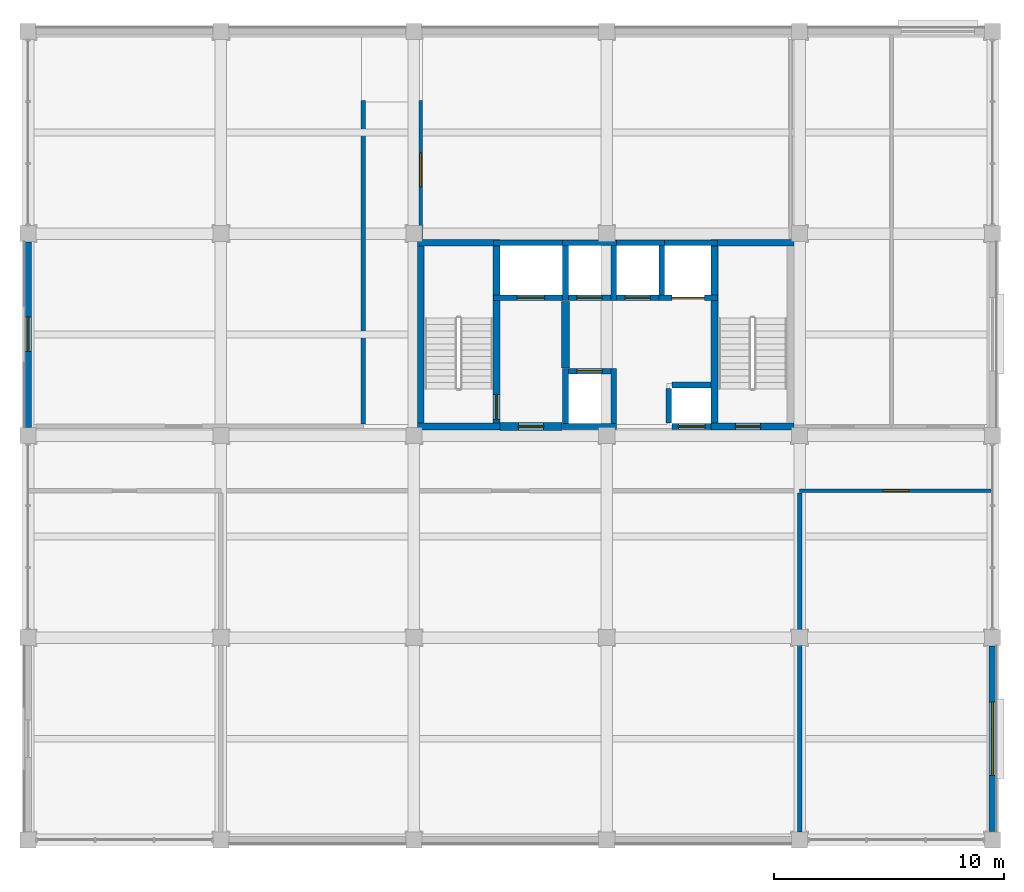
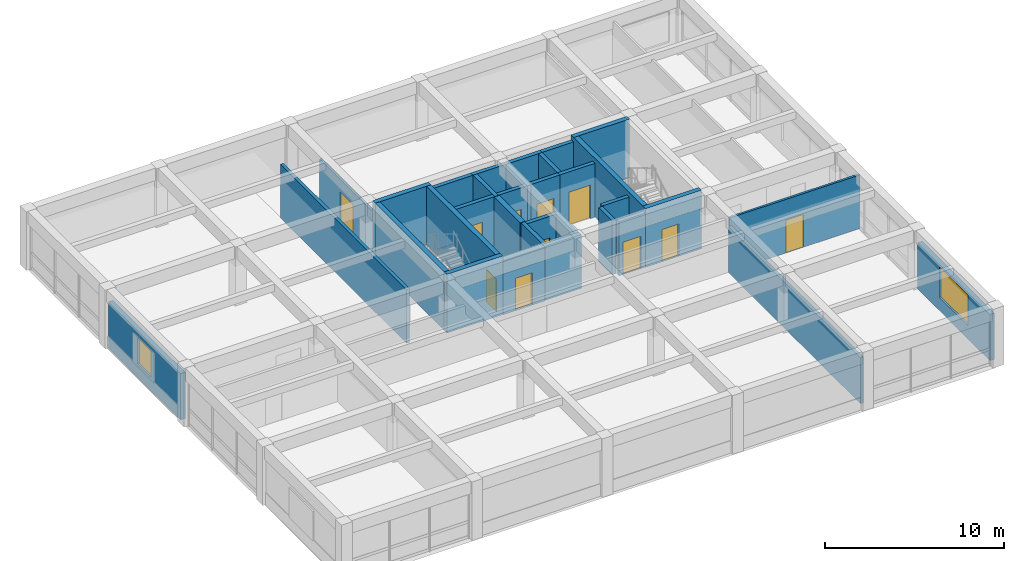
# One storey, part 8 of 14: 33 walls, 11 doors, 2 windows, 13 openings.
"""IFC4 building model written with IfcOpenShell, lengths in metres."""

from ifc_helpers import new_model, si_unit, direction, frame, frame_2d, origin, place, context, subcontext, project, spatial, rectangle, extrude, material, layer, layer_set, type_object, element, fill, save


model = new_model("IFC4")

# Units and contexts
model_context = context("Model", 3, precision=1e-05, world=origin(), true_north=direction((0.0, 1.0)))
body_context = subcontext(model_context, "Body", "Model", "MODEL_VIEW")
ifc_project = project(units=[si_unit("LENGTHUNIT", "METRE"), si_unit("AREAUNIT", "SQUARE_METRE"), si_unit("VOLUMEUNIT", "CUBIC_METRE"), si_unit("PLANEANGLEUNIT", "RADIAN"), si_unit("MASSUNIT", "GRAM", prefix="KILO")], contexts=[model_context])

# Site, building, storey
site_placement = place(None, origin())
site = spatial("IfcSite", under=ifc_project, at=site_placement, CompositionType="ELEMENT")
building_placement = place(site_placement, origin())
building = spatial("IfcBuilding", under=site, at=building_placement, Name="Kemercrest Conservatory and Botanical Centre", CompositionType="ELEMENT")
storey_placement = place(building_placement, frame((0.0, 0.0, 28.800048828125)))
storey = spatial("IfcBuildingStorey", under=building, at=storey_placement, Name="L07", CompositionType="ELEMENT", Elevation=28.800048828125)

# Wall
ifc_material_1 = material(Name="Concrete C50/60", Category="concrete")
ifc_layer_1 = layer(ifc_material_1, 0.35009765625)
ifc_layer_set_1 = layer_set([ifc_layer_1], Name="Concrete C50/60")
wall_type_1 = type_object("IfcWallType", Name="CW-CORE", PredefinedType="SHEAR", material=ifc_layer_set_1)
wall_1_placement = place(storey_placement, frame((157.39990234375, 107.75, 0.0), z_axis=(0.0, 0.0, 1.0), x_axis=(0.0, 1.0, 0.0)))
element("IfcWall", 1, at=wall_1_placement, inside=storey, type_object=wall_type_1, Name="Firefighting lift lobby 2-hour separation shear wall", PredefinedType="SHEAR", context=body_context, shape_type="SweptSolid", body=[
    extrude(rectangle(XDim=2.89990234375, YDim=0.35009765625, at=frame_2d((1.449951171875, 0.0))), origin(), (0.0, 0.0, 1.0), 3.679931640625),
])

# Wall, opening, door
wall_2_placement = place(storey_placement, frame((154.550048828125, 105.199951171875, 0.0), z_axis=(0.0, 0.0, 1.0), x_axis=(1.0, 0.0, 0.0)))
wall_2 = element("IfcWall", 2, at=wall_2_placement, inside=storey, type_object=wall_type_1, Name="Firefighting lift lobby south shear wall", PredefinedType="SHEAR", context=body_context, shape_type="SweptSolid", body=[
    extrude(rectangle(XDim=2.699951171875, YDim=0.35009765625, at=frame_2d((1.35009765625, 0.0))), origin(), (0.0, 0.0, 1.0), 3.679931640625),
])
opening_1_placement = place(wall_2_placement, frame((0.800048828125, 0.0, 0.0)))
opening_1 = element("IfcOpeningElement", 3, at=opening_1_placement, cuts=wall_2, Name="Opening D085", PredefinedType="OPENING", context=body_context, shape_type="SweptSolid", body=[
    extrude(rectangle(XDim=1.10009765625, YDim=2.199951171875, at=frame_2d((0.550048828125, 1.10009765625))), frame((0.0, 0.18505859375, 0.0), z_axis=(0.0, -1.0, 0.0), x_axis=(1.0, 0.0, 0.0)), (0.0, 0.0, 1.0), 0.3701171875),
])
ifc_material_2 = material(Name="Powder-coated galvanized steel and fire-rated vision glass", Category="steel")
door_type_1 = type_object("IfcDoorType", Name="DT-FD90", OperationType="NOTDEFINED", PredefinedType="DOOR", material=ifc_material_2)
door_1_placement = place(opening_1_placement, origin())
door_1 = element("IfcDoor", 4, at=door_1_placement, inside=storey, type_object=door_type_1, Name="Firefighting lift lobby corridor fire door D085", OperationType="SINGLE_SWING_LEFT", OverallHeight=2.199951171875, OverallWidth=1.10009765625, PredefinedType="DOOR", context=body_context, shape_type="SweptSolid", body=[
    extrude(rectangle(XDim=1.10009765625, YDim=2.199951171875, at=frame_2d((0.550048828125, 1.10009765625))), frame((0.0, 0.02490234375, 0.0), z_axis=(0.0, -1.0, 0.0), x_axis=(1.0, 0.0, 0.0)), (0.0, 0.0, 1.0), 0.050048828125),
])
fill(opening_1, door_1)

# Walls
ifc_layer_2 = layer(ifc_material_1, 0.300048828125)
ifc_layer_set_2 = layer_set([ifc_layer_2], Name="Concrete C50/60")
wall_type_2 = type_object("IfcWallType", Name="CW-STAIR", PredefinedType="SHEAR", material=ifc_layer_set_2)
for number, where, z_axis, x_axis, name in (
    (5, (150.949951171875, 105.199951171875, 0.0), (0.0, 0.0, 1.0), (1.0, 0.0, 0.0), "Stair core ST-V4A shear wall S"),
    (6, (150.949951171875, 113.199951171875, 0.0), (0.0, 0.0, 1.0), (1.0, 0.0, 0.0), "Stair core ST-V4A shear wall N"),
):
    element("IfcWall", number, at=place(storey_placement, frame(where, z_axis=z_axis, x_axis=x_axis)), inside=storey, type_object=wall_type_2, Name=name, PredefinedType="SHEAR", context=body_context, shape_type="SweptSolid", body=[
        extrude(rectangle(XDim=3.60009765625, YDim=0.300048828125, at=frame_2d((1.800048828125, 0.0))), origin(), (0.0, 0.0, 1.0), 4.0),
    ])
wall_3_placement = place(storey_placement, frame((151.10009765625, 105.050048828125, 0.0), z_axis=(0.0, 0.0, 1.0), x_axis=(0.0, 1.0, 0.0)))
element("IfcWall", 7, at=wall_3_placement, inside=storey, type_object=wall_type_2, Name="Stair core ST-V4A shear wall W", PredefinedType="SHEAR", context=body_context, shape_type="SweptSolid", body=[
    extrude(rectangle(XDim=8.300048828125, YDim=0.300048828125, at=frame_2d((4.14990234375, 0.0))), origin(), (0.0, 0.0, 1.0), 4.0),
])

# Wall, opening, door
wall_4_placement = place(storey_placement, frame((154.39990234375, 105.050048828125, 0.0), z_axis=(0.0, 0.0, 1.0), x_axis=(0.0, 1.0, 0.0)))
wall_4 = element("IfcWall", 8, at=wall_4_placement, inside=storey, type_object=wall_type_2, Name="Stair core ST-V4A shear wall E", PredefinedType="SHEAR", context=body_context, shape_type="SweptSolid", body=[
    extrude(rectangle(XDim=8.300048828125, YDim=0.300048828125, at=frame_2d((4.14990234375, 0.0))), origin(), (0.0, 0.0, 1.0), 4.0),
])
opening_2_placement = place(wall_4_placement, frame((0.449951171875, 0.0, 0.0)))
opening_2 = element("IfcOpeningElement", 9, at=opening_2_placement, cuts=wall_4, Name="Opening D033", PredefinedType="OPENING", context=body_context, shape_type="SweptSolid", body=[
    extrude(rectangle(XDim=1.10009765625, YDim=2.199951171875, at=frame_2d((0.550048828125, 1.10009765625))), frame((0.0, 0.16015625, 0.0), z_axis=(0.0, -1.0, 0.0), x_axis=(1.0, 0.0, 0.0)), (0.0, 0.0, 1.0), 0.320068359375),
])
door_2_placement = place(opening_2_placement, frame((1.10009765625, 0.0, 0.0), z_axis=(0.0, 0.0, 1.0), x_axis=(-1.0, 0.0, 0.0)))
door_2 = element("IfcDoor", 10, at=door_2_placement, inside=storey, type_object=door_type_1, Name="Exit stair ST-V4A fire door D033", OperationType="SINGLE_SWING_LEFT", OverallHeight=2.199951171875, OverallWidth=1.10009765625, PredefinedType="DOOR", context=body_context, shape_type="SweptSolid", body=[
    extrude(rectangle(XDim=1.10009765625, YDim=2.199951171875, at=frame_2d((0.550048828125, 1.10009765625))), frame((0.0, 0.02490234375, 0.0), z_axis=(0.0, -1.0, 0.0), x_axis=(1.0, 0.0, 0.0)), (0.0, 0.0, 1.0), 0.050048828125),
])
fill(opening_2, door_2)

wall_5_placement = place(storey_placement, frame((163.75, 105.199951171875, 0.0), z_axis=(0.0, 0.0, 1.0), x_axis=(1.0, 0.0, 0.0)))
wall_5 = element("IfcWall", 11, at=wall_5_placement, inside=storey, type_object=wall_type_2, Name="Stair core ST-V4B shear wall S", PredefinedType="SHEAR", context=body_context, shape_type="SweptSolid", body=[
    extrude(rectangle(XDim=3.60009765625, YDim=0.300048828125, at=frame_2d((1.800048828125, 0.0))), origin(), (0.0, 0.0, 1.0), 4.0),
])
opening_3_placement = place(wall_5_placement, frame((1.050048828125, 0.0, 0.0)))
opening_3 = element("IfcOpeningElement", 12, at=opening_3_placement, cuts=wall_5, Name="Opening D052", PredefinedType="OPENING", context=body_context, shape_type="SweptSolid", body=[
    extrude(rectangle(XDim=1.10009765625, YDim=2.199951171875, at=frame_2d((0.550048828125, 1.10009765625))), frame((0.0, 0.16015625, 0.0), z_axis=(0.0, -1.0, 0.0), x_axis=(1.0, 0.0, 0.0)), (0.0, 0.0, 1.0), 0.320068359375),
])
door_3_placement = place(opening_3_placement, origin())
door_3 = element("IfcDoor", 13, at=door_3_placement, inside=storey, type_object=door_type_1, Name="Exit stair ST-V4B fire door D052", OperationType="SINGLE_SWING_RIGHT", OverallHeight=2.199951171875, OverallWidth=1.10009765625, PredefinedType="DOOR", context=body_context, shape_type="SweptSolid", body=[
    extrude(rectangle(XDim=1.10009765625, YDim=2.199951171875, at=frame_2d((0.550048828125, 1.10009765625))), frame((0.0, 0.02490234375, 0.0), z_axis=(0.0, -1.0, 0.0), x_axis=(1.0, 0.0, 0.0)), (0.0, 0.0, 1.0), 0.050048828125),
])
fill(opening_3, door_3)

# Walls
wall_6_placement = place(storey_placement, frame((163.75, 113.199951171875, 0.0), z_axis=(0.0, 0.0, 1.0), x_axis=(1.0, 0.0, 0.0)))
element("IfcWall", 14, at=wall_6_placement, inside=storey, type_object=wall_type_2, Name="Stair core ST-V4B shear wall N", PredefinedType="SHEAR", context=body_context, shape_type="SweptSolid", body=[
    extrude(rectangle(XDim=3.60009765625, YDim=0.300048828125, at=frame_2d((1.800048828125, 0.0))), origin(), (0.0, 0.0, 1.0), 4.0),
])
wall_7_placement = place(storey_placement, frame((163.89990234375, 105.050048828125, 0.0), z_axis=(0.0, 0.0, 1.0), x_axis=(0.0, 1.0, 0.0)))
element("IfcWall", 15, at=wall_7_placement, inside=storey, type_object=wall_type_2, Name="Stair core ST-V4B shear wall W", PredefinedType="SHEAR", context=body_context, shape_type="SweptSolid", body=[
    extrude(rectangle(XDim=8.300048828125, YDim=0.300048828125, at=frame_2d((4.14990234375, 0.0))), origin(), (0.0, 0.0, 1.0), 4.0),
])

# Wall, opening, window
ifc_material_3 = material(Name="Precast concrete C40/50", Category="concrete")
ifc_layer_3 = layer(ifc_material_3, 0.300048828125)
ifc_layer_set_3 = layer_set([ifc_layer_3], Name="Precast concrete C40/50")
wall_type_3 = type_object("IfcWallType", Name="W-EXT300", PredefinedType="SOLIDWALL", material=ifc_layer_set_3)
wall_8_placement = place(storey_placement, frame((176.0, 87.56005859375, 0.0), z_axis=(0.0, 0.0, 1.0), x_axis=(0.0, 1.0, 0.0)))
wall_8 = element("IfcWall", 16, at=wall_8_placement, inside=storey, type_object=wall_type_3, Name="Exterior almasik wall W-EXT300 (WAL:L07:EXT-265)", PredefinedType="SOLIDWALL", context=body_context, shape_type="SweptSolid", body=[
    extrude(rectangle(XDim=8.079833984375, YDim=0.300048828125, at=frame_2d((4.0400390625, 0.0))), origin(), (0.0, 0.0, 1.0), 3.14990234375),
])
opening_4_placement = place(wall_8_placement, frame((2.43994140625, 0.0, 0.89990234375)))
opening_4 = element("IfcOpeningElement", 17, at=opening_4_placement, cuts=wall_8, Name="Opening WT-19", PredefinedType="OPENING", context=body_context, shape_type="SweptSolid", body=[
    extrude(rectangle(XDim=3.199951171875, YDim=2.10009765625, at=frame_2d((1.60009765625, 1.050048828125))), frame((0.0, 0.16015625, 0.0), z_axis=(0.0, -1.0, 0.0), x_axis=(1.0, 0.0, 0.0)), (0.0, 0.0, 1.0), 0.320068359375),
])
ifc_material_4 = material(Name="Thermally broken bronze-anodized aluminium and triple glazing", Category="aluminium")
window_type_1 = type_object("IfcWindowType", Name="WT-19", PartitioningType="SINGLE_PANEL", PredefinedType="WINDOW", material=ifc_material_4)
window_1_placement = place(opening_4_placement, origin())
window_1 = element("IfcWindow", 18, at=window_1_placement, inside=storey, type_object=window_type_1, Name="Exterior window WT-19 (WIN:L07:EXT-265)", OverallHeight=2.10009765625, OverallWidth=3.199951171875, PartitioningType="SINGLE_PANEL", PredefinedType="WINDOW", context=body_context, shape_type="SweptSolid", body=[
    extrude(rectangle(XDim=3.199951171875, YDim=2.10009765625, at=frame_2d((1.60009765625, 1.050048828125))), frame((0.0, 0.030029296875, 0.0), z_axis=(0.0, -1.0, 0.0), x_axis=(1.0, 0.0, 0.0)), (0.0, 0.0, 1.0), 0.06005859375),
])
fill(opening_4, window_1)

wall_9_placement = place(storey_placement, frame((134.0, 113.239990234375, 0.0), z_axis=(0.0, 0.0, 1.0), x_axis=(0.0, -1.0, 0.0)))
wall_9 = element("IfcWall", 19, at=wall_9_placement, inside=storey, type_object=wall_type_3, Name="Exterior almasik wall W-EXT300 (WAL:L07:EXT-272)", PredefinedType="SOLIDWALL", context=body_context, shape_type="SweptSolid", body=[
    extrude(rectangle(XDim=8.080078125, YDim=0.300048828125, at=frame_2d((4.0400390625, 0.0))), origin(), (0.0, 0.0, 1.0), 3.14990234375),
])
opening_5_placement = place(wall_9_placement, frame((3.27001953125, 0.0, 0.89990234375)))
opening_5 = element("IfcOpeningElement", 20, at=opening_5_placement, cuts=wall_9, Name="Opening WT-03", PredefinedType="OPENING", context=body_context, shape_type="SweptSolid", body=[
    extrude(rectangle(XDim=1.5, YDim=1.800048828125, at=frame_2d((0.75, 0.89990234375))), frame((0.0, 0.16015625, 0.0), z_axis=(0.0, -1.0, 0.0), x_axis=(1.0, 0.0, 0.0)), (0.0, 0.0, 1.0), 0.320068359375),
])
window_type_2 = type_object("IfcWindowType", Name="WT-03", PartitioningType="SINGLE_PANEL", PredefinedType="WINDOW", material=ifc_material_4)
window_2_placement = place(opening_5_placement, origin())
window_2 = element("IfcWindow", 21, at=window_2_placement, inside=storey, type_object=window_type_2, Name="Exterior window WT-03 (WIN:L07:EXT-272)", OverallHeight=1.800048828125, OverallWidth=1.5, PartitioningType="SINGLE_PANEL", PredefinedType="WINDOW", context=body_context, shape_type="SweptSolid", body=[
    extrude(rectangle(XDim=1.5, YDim=1.800048828125, at=frame_2d((0.75, 0.89990234375))), frame((0.0, 0.030029296875, 0.0), z_axis=(0.0, -1.0, 0.0), x_axis=(1.0, 0.0, 0.0)), (0.0, 0.0, 1.0), 0.06005859375),
])
fill(opening_5, window_2)

# Walls
ifc_material_5 = material(Name="Concrete C40/50", Category="concrete")
ifc_layer_4 = layer(ifc_material_5, 0.199951171875)
ifc_layer_set_4 = layer_set([ifc_layer_4], Name="Concrete C40/50")
wall_type_4 = type_object("IfcWallType", Name="W-FIRE", PredefinedType="PARTITIONING", material=ifc_layer_set_4)
wall_10_placement = place(storey_placement, frame((148.60009765625, 105.304931640625, 0.0), z_axis=(0.0, 0.0, 1.0), x_axis=(0.0, 1.0, 0.0)))
element("IfcWall", 22, at=wall_10_placement, inside=storey, type_object=wall_type_4, Name="Interior partition W-FIRE #208", PredefinedType="PARTITIONING", context=body_context, shape_type="SweptSolid", body=[
    extrude(rectangle(XDim=14.094970703125, YDim=0.199951171875, at=frame_2d((7.04736328125, 0.0))), origin(), (0.0, 0.0, 1.0), 3.6650390625),
])
wall_11_placement = place(storey_placement, frame((167.60009765625, 87.550048828125, 0.0), z_axis=(0.0, 0.0, 1.0), x_axis=(0.0, 1.0, 0.0)))
element("IfcWall", 23, at=wall_11_placement, inside=storey, type_object=wall_type_4, Name="Interior partition W-FIRE #211", PredefinedType="PARTITIONING", context=body_context, shape_type="SweptSolid", body=[
    extrude(rectangle(XDim=14.744873046875, YDim=0.199951171875, at=frame_2d((7.37255859375, 0.0))), origin(), (0.0, 0.0, 1.0), 3.14501953125),
])

# Wall, opening, door
ifc_material_6 = material(Name="Steel-stud gypsum board partition", Category="steel")
ifc_layer_5 = layer(ifc_material_6, 0.14990234375)
ifc_layer_set_5 = layer_set([ifc_layer_5], Name="Steel-stud gypsum board partition")
wall_type_5 = type_object("IfcWallType", Name="W-PART150", PredefinedType="PARTITIONING", material=ifc_layer_set_5)
wall_12_placement = place(storey_placement, frame((167.60009765625, 102.39990234375, 0.0), z_axis=(0.0, 0.0, 1.0), x_axis=(1.0, 0.0, 0.0)))
wall_12 = element("IfcWall", 24, at=wall_12_placement, inside=storey, type_object=wall_type_5, Name="Interior partition W-PART150 #204", PredefinedType="PARTITIONING", context=body_context, shape_type="SweptSolid", body=[
    extrude(rectangle(XDim=8.39990234375, YDim=0.14990234375, at=frame_2d((4.199951171875, 0.0))), origin(), (0.0, 0.0, 1.0), 3.6650390625),
])
opening_6_placement = place(wall_12_placement, frame((3.6298828125, 0.0, 0.0)))
opening_6 = element("IfcOpeningElement", 25, at=opening_6_placement, cuts=wall_12, Name="Opening D222", PredefinedType="OPENING", context=body_context, shape_type="SweptSolid", body=[
    extrude(rectangle(XDim=1.139892578125, YDim=2.239990234375, at=frame_2d((0.56982421875, 1.1201171875))), frame((0.0, 0.0849609375, 0.0), z_axis=(0.0, -1.0, 0.0), x_axis=(1.0, 0.0, 0.0)), (0.0, 0.0, 1.0), 0.169921875),
])
ifc_material_7 = material(Name="FSC solid-core white oak veneer and anodized aluminium frame", Category="aluminium")
door_type_2 = type_object("IfcDoorType", Name="DT-36", OperationType="NOTDEFINED", PredefinedType="DOOR", material=ifc_material_7)
door_4_placement = place(opening_6_placement, origin())
door_4 = element("IfcDoor", 26, at=door_4_placement, inside=storey, type_object=door_type_2, Name="Taxonomic Research Studio door D222", OperationType="SINGLE_SWING_RIGHT", OverallHeight=2.239990234375, OverallWidth=1.139892578125, PredefinedType="DOOR", context=body_context, shape_type="SweptSolid", body=[
    extrude(rectangle(XDim=1.139892578125, YDim=2.239990234375, at=frame_2d((0.56982421875, 1.1201171875))), frame((0.0, 0.02490234375, 0.0), z_axis=(0.0, -1.0, 0.0), x_axis=(1.0, 0.0, 0.0)), (0.0, 0.0, 1.0), 0.050048828125),
])
fill(opening_6, door_4)

wall_13_placement = place(storey_placement, frame((151.10009765625, 113.35498046875, 0.0), z_axis=(0.0, 0.0, 1.0), x_axis=(0.0, 1.0, 0.0)))
wall_13 = element("IfcWall", 27, at=wall_13_placement, inside=storey, type_object=wall_type_5, Name="Interior partition W-PART150 #209", PredefinedType="PARTITIONING", context=body_context, shape_type="SweptSolid", body=[
    extrude(rectangle(XDim=6.044921875, YDim=0.14990234375, at=frame_2d((3.0224609375, 0.0))), origin(), (0.0, 0.0, 1.0), 3.14501953125),
])
opening_7_placement = place(wall_13_placement, frame((2.29248046875, 0.0, 0.0)))
opening_7 = element("IfcOpeningElement", 28, at=opening_7_placement, cuts=wall_13, Name="Opening D226", PredefinedType="OPENING", context=body_context, shape_type="SweptSolid", body=[
    extrude(rectangle(XDim=1.4599609375, YDim=2.280029296875, at=frame_2d((0.72998046875, 1.14013671875))), frame((0.0, 0.0849609375, 0.0), z_axis=(0.0, -1.0, 0.0), x_axis=(1.0, 0.0, 0.0)), (0.0, 0.0, 1.0), 0.169921875),
])
door_type_3 = type_object("IfcDoorType", Name="DT-40", OperationType="DOUBLE_DOOR_SINGLE_SWING", PredefinedType="DOOR", material=ifc_material_7)
door_5_placement = place(opening_7_placement, origin())
door_5 = element("IfcDoor", 29, at=door_5_placement, inside=storey, type_object=door_type_3, Name="Archival Conservation Office door D226", OperationType="DOUBLE_DOOR_SINGLE_SWING", OverallHeight=2.280029296875, OverallWidth=1.4599609375, PredefinedType="DOOR", context=body_context, shape_type="SweptSolid", body=[
    extrude(rectangle(XDim=1.4599609375, YDim=2.280029296875, at=frame_2d((0.72998046875, 1.14013671875))), frame((0.0, 0.02490234375, 0.0), z_axis=(0.0, -1.0, 0.0), x_axis=(1.0, 0.0, 0.0)), (0.0, 0.0, 1.0), 0.050048828125),
])
fill(opening_7, door_5)

ifc_layer_6 = layer(ifc_material_5, 0.25)
ifc_layer_set_6 = layer_set([ifc_layer_6], Name="Concrete C40/50")
wall_type_6 = type_object("IfcWallType", Name="W-SHFT250", PredefinedType="SOLIDWALL", material=ifc_layer_set_6)
wall_14_placement = place(storey_placement, frame((154.27490234375, 110.800048828125, 0.0), z_axis=(0.0, 0.0, 1.0), x_axis=(1.0, 0.0, 0.0)))
wall_14 = element("IfcWall", 30, at=wall_14_placement, inside=storey, type_object=wall_type_6, Name="Elevator LF-FF1 shaft wall south", PredefinedType="SOLIDWALL", context=body_context, shape_type="SweptSolid", body=[
    extrude(rectangle(XDim=3.25, YDim=0.25, at=frame_2d((1.625, 0.0))), origin(), (0.0, 0.0, 1.0), 3.679931640625),
])
opening_8_placement = place(wall_14_placement, frame((1.02490234375, 0.0, 0.0)))
opening_8 = element("IfcOpeningElement", 31, at=opening_8_placement, cuts=wall_14, Name="Opening LD-009", PredefinedType="OPENING", context=body_context, shape_type="SweptSolid", body=[
    extrude(rectangle(XDim=1.199951171875, YDim=2.199951171875, at=frame_2d((0.60009765625, 1.10009765625))), frame((0.0, 0.135009765625, 0.0), z_axis=(0.0, -1.0, 0.0), x_axis=(1.0, 0.0, 0.0)), (0.0, 0.0, 1.0), 0.27001953125),
])
door_type_4 = type_object("IfcDoorType", Name="DT-LD02", OperationType="SLIDING_TO_LEFT", PredefinedType="DOOR", material=ifc_material_2)
door_6_placement = place(opening_8_placement, origin())
door_6 = element("IfcDoor", 32, at=door_6_placement, inside=storey, type_object=door_type_4, Name="Elevator LF-FF1 sliding landing door LD-009", OperationType="SLIDING_TO_LEFT", OverallHeight=2.199951171875, OverallWidth=1.199951171875, PredefinedType="DOOR", context=body_context, shape_type="SweptSolid", body=[
    extrude(rectangle(XDim=1.199951171875, YDim=2.199951171875, at=frame_2d((0.60009765625, 1.10009765625))), frame((0.0, 0.02490234375, 0.0), z_axis=(0.0, -1.0, 0.0), x_axis=(1.0, 0.0, 0.0)), (0.0, 0.0, 1.0), 0.050048828125),
])
fill(opening_8, door_6)

# Walls
wall_15_placement = place(storey_placement, frame((154.27490234375, 113.199951171875, 0.0), z_axis=(0.0, 0.0, 1.0), x_axis=(1.0, 0.0, 0.0)))
element("IfcWall", 33, at=wall_15_placement, inside=storey, type_object=wall_type_6, Name="Elevator LF-FF1 shaft wall north", PredefinedType="SOLIDWALL", context=body_context, shape_type="SweptSolid", body=[
    extrude(rectangle(XDim=3.25, YDim=0.25, at=frame_2d((1.625, 0.0))), origin(), (0.0, 0.0, 1.0), 3.679931640625),
])
wall_16_placement = place(storey_placement, frame((157.39990234375, 110.675048828125, 0.0), z_axis=(0.0, 0.0, 1.0), x_axis=(0.0, 1.0, 0.0)))
element("IfcWall", 34, at=wall_16_placement, inside=storey, type_object=wall_type_6, Name="Elevator LF-FF1 shaft wall east", PredefinedType="SOLIDWALL", context=body_context, shape_type="SweptSolid", body=[
    extrude(rectangle(XDim=2.64990234375, YDim=0.25, at=frame_2d((1.324951171875, 0.0))), origin(), (0.0, 0.0, 1.0), 3.679931640625),
])

# Wall, opening, door
wall_17_placement = place(storey_placement, frame((157.27490234375, 110.800048828125, 0.0), z_axis=(0.0, 0.0, 1.0), x_axis=(1.0, 0.0, 0.0)))
wall_17 = element("IfcWall", 35, at=wall_17_placement, inside=storey, type_object=wall_type_6, Name="Elevator LF-P1 shaft wall south", PredefinedType="SOLIDWALL", context=body_context, shape_type="SweptSolid", body=[
    extrude(rectangle(XDim=2.35009765625, YDim=0.25, at=frame_2d((1.175048828125, 0.0))), origin(), (0.0, 0.0, 1.0), 3.679931640625),
])
opening_9_placement = place(wall_17_placement, frame((0.625, 0.0, 0.0)))
opening_9 = element("IfcOpeningElement", 36, at=opening_9_placement, cuts=wall_17, Name="Opening LD-028", PredefinedType="OPENING", context=body_context, shape_type="SweptSolid", body=[
    extrude(rectangle(XDim=1.10009765625, YDim=2.199951171875, at=frame_2d((0.550048828125, 1.10009765625))), frame((0.0, 0.135009765625, 0.0), z_axis=(0.0, -1.0, 0.0), x_axis=(1.0, 0.0, 0.0)), (0.0, 0.0, 1.0), 0.27001953125),
])
door_type_5 = type_object("IfcDoorType", Name="DT-LD01", OperationType="SLIDING_TO_LEFT", PredefinedType="DOOR", material=ifc_material_2)
door_7_placement = place(opening_9_placement, origin())
door_7 = element("IfcDoor", 37, at=door_7_placement, inside=storey, type_object=door_type_5, Name="Elevator LF-P1 sliding landing door LD-028", OperationType="SLIDING_TO_LEFT", OverallHeight=2.199951171875, OverallWidth=1.10009765625, PredefinedType="DOOR", context=body_context, shape_type="SweptSolid", body=[
    extrude(rectangle(XDim=1.10009765625, YDim=2.199951171875, at=frame_2d((0.550048828125, 1.10009765625))), frame((0.0, 0.02490234375, 0.0), z_axis=(0.0, -1.0, 0.0), x_axis=(1.0, 0.0, 0.0)), (0.0, 0.0, 1.0), 0.050048828125),
])
fill(opening_9, door_7)

# Walls
wall_18_placement = place(storey_placement, frame((157.27490234375, 113.199951171875, 0.0), z_axis=(0.0, 0.0, 1.0), x_axis=(1.0, 0.0, 0.0)))
element("IfcWall", 38, at=wall_18_placement, inside=storey, type_object=wall_type_6, Name="Elevator LF-P1 shaft wall north", PredefinedType="SOLIDWALL", context=body_context, shape_type="SweptSolid", body=[
    extrude(rectangle(XDim=2.35009765625, YDim=0.25, at=frame_2d((1.175048828125, 0.0))), origin(), (0.0, 0.0, 1.0), 3.679931640625),
])
wall_19_placement = place(storey_placement, frame((159.5, 110.675048828125, 0.0), z_axis=(0.0, 0.0, 1.0), x_axis=(0.0, 1.0, 0.0)))
element("IfcWall", 39, at=wall_19_placement, inside=storey, type_object=wall_type_6, Name="Elevator LF-P1 shaft wall east", PredefinedType="SOLIDWALL", context=body_context, shape_type="SweptSolid", body=[
    extrude(rectangle(XDim=2.64990234375, YDim=0.25, at=frame_2d((1.324951171875, 0.0))), origin(), (0.0, 0.0, 1.0), 3.679931640625),
])

# Wall, opening, door
wall_20_placement = place(storey_placement, frame((159.375, 110.800048828125, 0.0), z_axis=(0.0, 0.0, 1.0), x_axis=(1.0, 0.0, 0.0)))
wall_20 = element("IfcWall", 40, at=wall_20_placement, inside=storey, type_object=wall_type_6, Name="Elevator LF-P2 shaft wall south", PredefinedType="SOLIDWALL", context=body_context, shape_type="SweptSolid", body=[
    extrude(rectangle(XDim=2.35009765625, YDim=0.25, at=frame_2d((1.175048828125, 0.0))), origin(), (0.0, 0.0, 1.0), 3.679931640625),
])
opening_10_placement = place(wall_20_placement, frame((0.625, 0.0, 0.0)))
opening_10 = element("IfcOpeningElement", 41, at=opening_10_placement, cuts=wall_20, Name="Opening LD-047", PredefinedType="OPENING", context=body_context, shape_type="SweptSolid", body=[
    extrude(rectangle(XDim=1.10009765625, YDim=2.199951171875, at=frame_2d((0.550048828125, 1.10009765625))), frame((0.0, 0.135009765625, 0.0), z_axis=(0.0, -1.0, 0.0), x_axis=(1.0, 0.0, 0.0)), (0.0, 0.0, 1.0), 0.27001953125),
])
door_8_placement = place(opening_10_placement, origin())
door_8 = element("IfcDoor", 42, at=door_8_placement, inside=storey, type_object=door_type_5, Name="Elevator LF-P2 sliding landing door LD-047", OperationType="SLIDING_TO_LEFT", OverallHeight=2.199951171875, OverallWidth=1.10009765625, PredefinedType="DOOR", context=body_context, shape_type="SweptSolid", body=[
    extrude(rectangle(XDim=1.10009765625, YDim=2.199951171875, at=frame_2d((0.550048828125, 1.10009765625))), frame((0.0, 0.02490234375, 0.0), z_axis=(0.0, -1.0, 0.0), x_axis=(1.0, 0.0, 0.0)), (0.0, 0.0, 1.0), 0.050048828125),
])
fill(opening_10, door_8)

# Walls
wall_21_placement = place(storey_placement, frame((159.375, 113.199951171875, 0.0), z_axis=(0.0, 0.0, 1.0), x_axis=(1.0, 0.0, 0.0)))
element("IfcWall", 43, at=wall_21_placement, inside=storey, type_object=wall_type_6, Name="Elevator LF-P2 shaft wall north", PredefinedType="SOLIDWALL", context=body_context, shape_type="SweptSolid", body=[
    extrude(rectangle(XDim=2.35009765625, YDim=0.25, at=frame_2d((1.175048828125, 0.0))), origin(), (0.0, 0.0, 1.0), 3.679931640625),
])
wall_22_placement = place(storey_placement, frame((161.60009765625, 110.675048828125, 0.0), z_axis=(0.0, 0.0, 1.0), x_axis=(0.0, 1.0, 0.0)))
element("IfcWall", 44, at=wall_22_placement, inside=storey, type_object=wall_type_6, Name="Elevator LF-P2 shaft wall east", PredefinedType="SOLIDWALL", context=body_context, shape_type="SweptSolid", body=[
    extrude(rectangle(XDim=2.64990234375, YDim=0.25, at=frame_2d((1.324951171875, 0.0))), origin(), (0.0, 0.0, 1.0), 3.679931640625),
])
wall_23_placement = place(storey_placement, frame((157.27490234375, 105.199951171875, 0.0), z_axis=(0.0, 0.0, 1.0), x_axis=(1.0, 0.0, 0.0)))
element("IfcWall", 45, at=wall_23_placement, inside=storey, type_object=wall_type_6, Name="Elevator LF-P3 shaft wall south", PredefinedType="SOLIDWALL", context=body_context, shape_type="SweptSolid", body=[
    extrude(rectangle(XDim=2.35009765625, YDim=0.25, at=frame_2d((1.175048828125, 0.0))), origin(), (0.0, 0.0, 1.0), 3.679931640625),
])

# Wall, opening, door
wall_24_placement = place(storey_placement, frame((157.27490234375, 107.60009765625, 0.0), z_axis=(0.0, 0.0, 1.0), x_axis=(1.0, 0.0, 0.0)))
wall_24 = element("IfcWall", 46, at=wall_24_placement, inside=storey, type_object=wall_type_6, Name="Elevator LF-P3 shaft wall north", PredefinedType="SOLIDWALL", context=body_context, shape_type="SweptSolid", body=[
    extrude(rectangle(XDim=2.35009765625, YDim=0.25, at=frame_2d((1.175048828125, 0.0))), origin(), (0.0, 0.0, 1.0), 3.679931640625),
])
opening_11_placement = place(wall_24_placement, frame((0.625, 0.0, 0.0)))
opening_11 = element("IfcOpeningElement", 47, at=opening_11_placement, cuts=wall_24, Name="Opening LD-065", PredefinedType="OPENING", context=body_context, shape_type="SweptSolid", body=[
    extrude(rectangle(XDim=1.10009765625, YDim=2.199951171875, at=frame_2d((0.550048828125, 1.10009765625))), frame((0.0, 0.135009765625, 0.0), z_axis=(0.0, -1.0, 0.0), x_axis=(1.0, 0.0, 0.0)), (0.0, 0.0, 1.0), 0.27001953125),
])
door_9_placement = place(opening_11_placement, origin())
door_9 = element("IfcDoor", 48, at=door_9_placement, inside=storey, type_object=door_type_5, Name="Elevator LF-P3 sliding landing door LD-065", OperationType="SLIDING_TO_LEFT", OverallHeight=2.199951171875, OverallWidth=1.10009765625, PredefinedType="DOOR", context=body_context, shape_type="SweptSolid", body=[
    extrude(rectangle(XDim=1.10009765625, YDim=2.199951171875, at=frame_2d((0.550048828125, 1.10009765625))), frame((0.0, 0.02490234375, 0.0), z_axis=(0.0, -1.0, 0.0), x_axis=(1.0, 0.0, 0.0)), (0.0, 0.0, 1.0), 0.050048828125),
])
fill(opening_11, door_9)

# Walls
for number, where, z_axis, x_axis, name in (
    (49, (157.39990234375, 105.074951171875, 0.0), (0.0, 0.0, 1.0), (0.0, 1.0, 0.0), "Elevator LF-P3 shaft wall west"),
    (50, (159.5, 105.074951171875, 0.0), (0.0, 0.0, 1.0), (0.0, 1.0, 0.0), "Elevator LF-P3 shaft wall east"),
):
    element("IfcWall", number, at=place(storey_placement, frame(where, z_axis=z_axis, x_axis=x_axis)), inside=storey, type_object=wall_type_6, Name=name, PredefinedType="SOLIDWALL", context=body_context, shape_type="SweptSolid", body=[
        extrude(rectangle(XDim=2.650146484375, YDim=0.25, at=frame_2d((1.3251953125, 0.0))), origin(), (0.0, 0.0, 1.0), 3.679931640625),
    ])

# Wall, opening, door
wall_25_placement = place(storey_placement, frame((161.47509765625, 110.800048828125, 0.0), z_axis=(0.0, 0.0, 1.0), x_axis=(1.0, 0.0, 0.0)))
wall_25 = element("IfcWall", 51, at=wall_25_placement, inside=storey, type_object=wall_type_6, Name="Elevator LF-G1 shaft wall south", PredefinedType="SOLIDWALL", context=body_context, shape_type="SweptSolid", body=[
    extrude(rectangle(XDim=2.5498046875, YDim=0.25, at=frame_2d((1.27490234375, 0.0))), origin(), (0.0, 0.0, 1.0), 3.679931640625),
])
opening_12_placement = place(wall_25_placement, frame((0.574951171875, 0.0, 0.0)))
opening_12 = element("IfcOpeningElement", 52, at=opening_12_placement, cuts=wall_25, Name="Opening LD-083", PredefinedType="OPENING", context=body_context, shape_type="SweptSolid", body=[
    extrude(rectangle(XDim=1.39990234375, YDim=2.300048828125, at=frame_2d((0.699951171875, 1.14990234375))), frame((0.0, 0.135009765625, 0.0), z_axis=(0.0, -1.0, 0.0), x_axis=(1.0, 0.0, 0.0)), (0.0, 0.0, 1.0), 0.27001953125),
])
door_type_6 = type_object("IfcDoorType", Name="DT-LD03", OperationType="SLIDING_TO_LEFT", PredefinedType="DOOR", material=ifc_material_2)
door_10_placement = place(opening_12_placement, origin())
door_10 = element("IfcDoor", 53, at=door_10_placement, inside=storey, type_object=door_type_6, Name="Elevator LF-G1 sliding landing door LD-083", OperationType="SLIDING_TO_LEFT", OverallHeight=2.300048828125, OverallWidth=1.39990234375, PredefinedType="DOOR", context=body_context, shape_type="SweptSolid", body=[
    extrude(rectangle(XDim=1.39990234375, YDim=2.300048828125, at=frame_2d((0.699951171875, 1.14990234375))), frame((0.0, 0.02490234375, 0.0), z_axis=(0.0, -1.0, 0.0), x_axis=(1.0, 0.0, 0.0)), (0.0, 0.0, 1.0), 0.050048828125),
])
fill(opening_12, door_10)

# Walls
wall_26_placement = place(storey_placement, frame((161.47509765625, 113.199951171875, 0.0), z_axis=(0.0, 0.0, 1.0), x_axis=(1.0, 0.0, 0.0)))
element("IfcWall", 54, at=wall_26_placement, inside=storey, type_object=wall_type_6, Name="Elevator LF-G1 shaft wall north", PredefinedType="SOLIDWALL", context=body_context, shape_type="SweptSolid", body=[
    extrude(rectangle(XDim=2.5498046875, YDim=0.25, at=frame_2d((1.27490234375, 0.0))), origin(), (0.0, 0.0, 1.0), 3.679931640625),
])
wall_27_placement = place(storey_placement, frame((161.89990234375, 105.35009765625, 0.0), z_axis=(0.0, 0.0, 1.0), x_axis=(0.0, 1.0, 0.0)))
element("IfcWall", 55, at=wall_27_placement, inside=storey, type_object=wall_type_6, Name="Core service riser shaft wall W", PredefinedType="SOLIDWALL", context=body_context, shape_type="SweptSolid", body=[
    extrude(rectangle(XDim=1.5, YDim=0.25, at=frame_2d((0.75, 0.0))), origin(), (0.0, 0.0, 1.0), 3.679931640625),
])
wall_28_placement = place(storey_placement, frame((162.050048828125, 107.0, 0.0), z_axis=(0.0, 0.0, 1.0), x_axis=(1.0, 0.0, 0.0)))
element("IfcWall", 56, at=wall_28_placement, inside=storey, type_object=wall_type_6, Name="Core service riser shaft wall N", PredefinedType="SOLIDWALL", context=body_context, shape_type="SweptSolid", body=[
    extrude(rectangle(XDim=1.699951171875, YDim=0.25, at=frame_2d((0.85009765625, 0.0))), origin(), (0.0, 0.0, 1.0), 3.679931640625),
])

# Wall, opening, door
wall_29_placement = place(storey_placement, frame((162.050048828125, 105.199951171875, 0.0), z_axis=(0.0, 0.0, 1.0), x_axis=(1.0, 0.0, 0.0)))
wall_29 = element("IfcWall", 57, at=wall_29_placement, inside=storey, type_object=wall_type_6, Name="Core service riser shaft wall S", PredefinedType="SOLIDWALL", context=body_context, shape_type="SweptSolid", body=[
    extrude(rectangle(XDim=1.699951171875, YDim=0.25, at=frame_2d((0.85009765625, 0.0))), origin(), (0.0, 0.0, 1.0), 3.679931640625),
])
opening_13_placement = place(wall_29_placement, frame((0.27001953125, 0.0, 0.0)))
opening_13 = element("IfcOpeningElement", 58, at=opening_13_placement, cuts=wall_29, Name="Opening D086", PredefinedType="OPENING", context=body_context, shape_type="SweptSolid", body=[
    extrude(rectangle(XDim=1.14990234375, YDim=2.199951171875, at=frame_2d((0.574951171875, 1.10009765625))), frame((0.0, 0.135009765625, 0.0), z_axis=(0.0, -1.0, 0.0), x_axis=(1.0, 0.0, 0.0)), (0.0, 0.0, 1.0), 0.27001953125),
])
door_type_7 = type_object("IfcDoorType", Name="DT-FD60", OperationType="NOTDEFINED", PredefinedType="DOOR", material=ifc_material_2)
door_11_placement = place(opening_13_placement, origin())
door_11 = element("IfcDoor", 59, at=door_11_placement, inside=storey, type_object=door_type_7, Name="Service riser access fire door D086", OperationType="SINGLE_SWING_RIGHT", OverallHeight=2.199951171875, OverallWidth=1.14990234375, PredefinedType="DOOR", context=body_context, shape_type="SweptSolid", body=[
    extrude(rectangle(XDim=1.14990234375, YDim=2.199951171875, at=frame_2d((0.574951171875, 1.10009765625))), frame((0.0, 0.02490234375, 0.0), z_axis=(0.0, -1.0, 0.0), x_axis=(1.0, 0.0, 0.0)), (0.0, 0.0, 1.0), 0.050048828125),
])
fill(opening_13, door_11)

save(model, "model.ifc")
